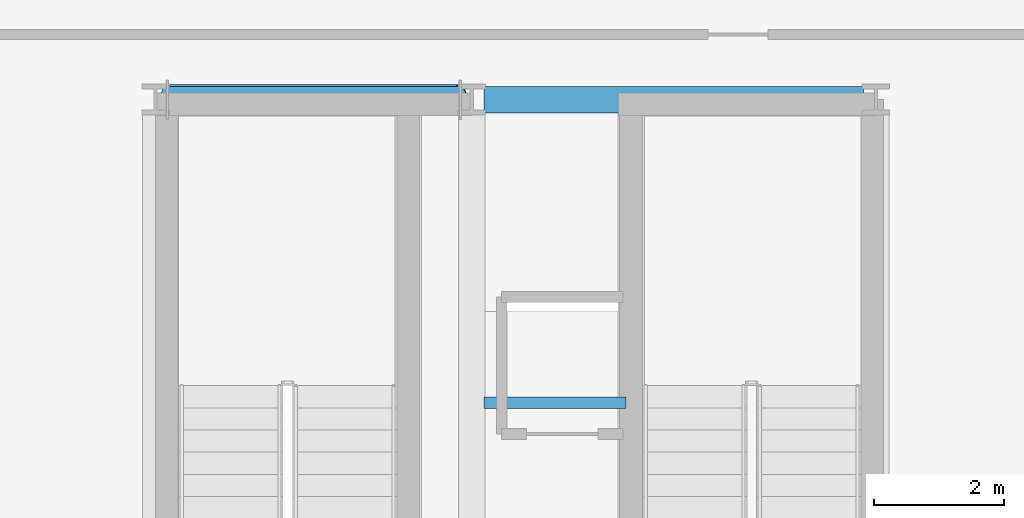
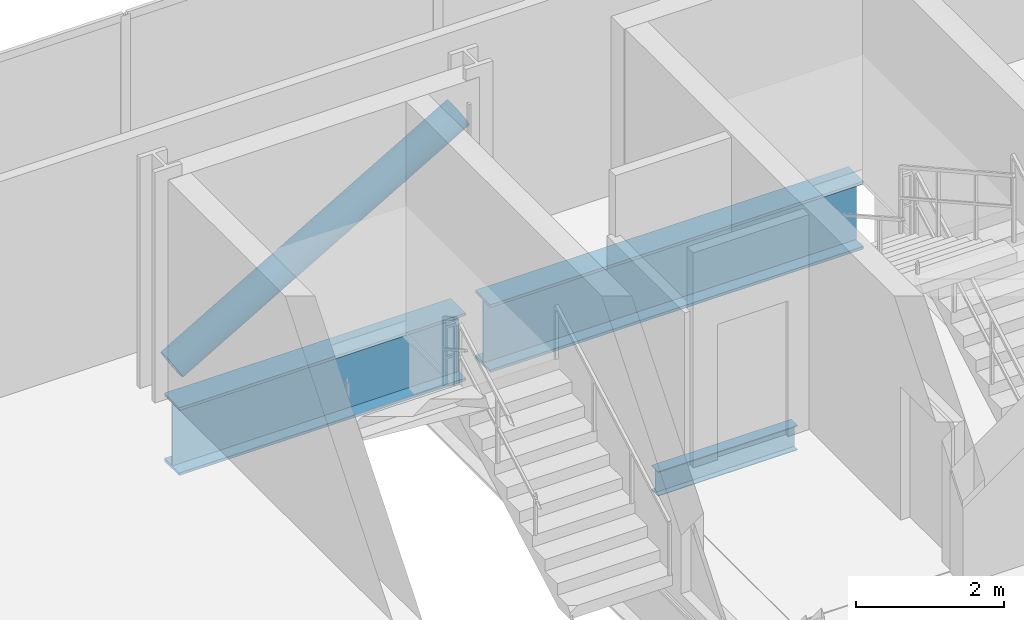
# One storey, part 9 of 16: 3 beams, 1 member.
"""IFC4 building model written with IfcOpenShell, lengths in metres."""

from ifc_helpers import new_model, si_unit, direction, frame, origin, origin_2d, place, context, subcontext, project, spatial, hollow_circle, i_section, extrude, material, material_profile, profile_set, type_object, element, save


model = new_model("IFC4")

# Units and contexts
model_context = context("Model", 3, precision=1e-05, world=origin(), true_north=direction((0.0, 1.0)))
body_context = subcontext(model_context, "Body", "Model", "MODEL_VIEW")
ifc_project = project(units=[si_unit("LENGTHUNIT", "METRE"), si_unit("AREAUNIT", "SQUARE_METRE"), si_unit("VOLUMEUNIT", "CUBIC_METRE"), si_unit("PLANEANGLEUNIT", "RADIAN"), si_unit("MASSUNIT", "GRAM", prefix="KILO")], contexts=[model_context])

# Site, building, storey
site_placement = place(None, origin())
site = spatial("IfcSite", under=ifc_project, at=site_placement, CompositionType="ELEMENT")
building_placement = place(site_placement, origin())
building = spatial("IfcBuilding", under=site, at=building_placement, Name="Zuhayl Quay Hotel", CompositionType="ELEMENT")
storey_placement = place(building_placement, frame((0.0, 0.0, 308.64990234375)))
storey = spatial("IfcBuildingStorey", under=building, at=storey_placement, Name="Crown 4", CompositionType="ELEMENT", Elevation=308.64990234375)

# Beams
ifc_material_1 = material(Name="Steel ASTM A992 Grade 50", Category="steel")
ifc_material_profile_1 = material_profile(ifc_material_1, i_section(OverallWidth=0.177978515625, OverallDepth=0.404052734375, WebThickness=0.007568359375, FlangeThickness=0.010986328125, at=origin_2d()), Name="W16X36")
ifc_profile_set_1 = profile_set([ifc_material_profile_1], Name="Steel ASTM A992 Grade 50")
beam_type_1 = type_object("IfcBeamType", Name="BM_J3_W16X36", PredefinedType="JOIST", material=ifc_profile_set_1)
beam_1_placement = place(storey_placement, frame((-4.409912109375, 29.800048828125, -0.44189453125), z_axis=(1.0, 0.0, 0.0), x_axis=(0.0, 1.0, 0.0)))
element("IfcBeam", 1, at=beam_1_placement, inside=storey, type_object=beam_type_1, Name="Crown 4 Floor Beam CR_J_4_1", PredefinedType="JOIST", context=body_context, shape_type="SweptSolid", body=[
    extrude(i_section(OverallWidth=0.177978515625, OverallDepth=0.404052734375, WebThickness=0.007568359375, FlangeThickness=0.010986328125, at=origin_2d()), origin(), (0.0, 0.0, 1.0), 2.1748046875),
])
ifc_material_2 = material(Name="Steel ASTM A913 Grade 65", Category="steel")
ifc_material_profile_2 = material_profile(ifc_material_2, i_section(OverallWidth=0.404052734375, OverallDepth=1.117919921875, WebThickness=0.026123046875, FlangeThickness=0.044921875, at=origin_2d()), Name="W44X335")
ifc_profile_set_2 = profile_set([ifc_material_profile_2], Name="Steel ASTM A913 Grade 65")
beam_type_2 = type_object("IfcBeamType", Name="BM_TG1_W44X335", PredefinedType="BEAM", material=ifc_profile_set_2)
beam_2_placement = place(storey_placement, frame((-9.260009765625, 34.449951171875, -0.798828125), z_axis=(1.0, 0.0, 0.0), x_axis=(0.0, 1.0, 0.0)))
element("IfcBeam", 2, at=beam_2_placement, inside=storey, type_object=beam_type_2, Name="Crown 4 Floor Beam CR_EW_4_2_1", PredefinedType="BEAM", context=body_context, shape_type="SweptSolid", body=[
    extrude(i_section(OverallWidth=0.404052734375, OverallDepth=1.117919921875, WebThickness=0.026123046875, FlangeThickness=0.044921875, at=origin_2d()), origin(), (0.0, 0.0, 1.0), 4.469970703125),
])
beam_3_placement = place(storey_placement, frame((-4.409912109375, 34.449951171875, -0.798828125), z_axis=(1.0, 0.0, 0.0), x_axis=(0.0, 1.0, 0.0)))
element("IfcBeam", 3, at=beam_3_placement, inside=storey, type_object=beam_type_2, Name="Crown 4 Floor Beam CR_EW_4_2_2", PredefinedType="BEAM", context=body_context, shape_type="SweptSolid", body=[
    extrude(i_section(OverallWidth=0.404052734375, OverallDepth=1.117919921875, WebThickness=0.026123046875, FlangeThickness=0.044921875, at=origin_2d()), origin(), (0.0, 0.0, 1.0), 5.81982421875),
])

# Member
ifc_material_3 = material(Name="Steel ASTM A500 Grade C", Category="steel")
ifc_material_profile_3 = material_profile(ifc_material_3, hollow_circle(Radius=0.228515625, WallThickness=0.01611328125, at=origin_2d()), Name="CHS457X16")
ifc_profile_set_3 = profile_set([ifc_material_profile_3], Name="Steel ASTM A500 Grade C")
member_type = type_object("IfcMemberType", Name="MB_ST_CHS457", PredefinedType="STRUT", material=ifc_profile_set_3)
member_placement = place(storey_placement, frame((-9.260009765625, 34.449951171875, 0.35009765625), z_axis=(0.864399824179, 0.0, 0.50280507551), x_axis=(0.0, 1.0, 0.0)))
element("IfcMember", 4, at=member_placement, inside=storey, type_object=member_type, Name="Crown 4 Crown Lateral Brace CD1", PredefinedType="STRUT", context=body_context, shape_type="SweptSolid", body=[
    extrude(hollow_circle(Radius=0.228515625, WallThickness=0.01611328125, at=origin_2d()), origin(), (0.0, 0.0, 1.0), 5.171142578125),
])

save(model, "model.ifc")
